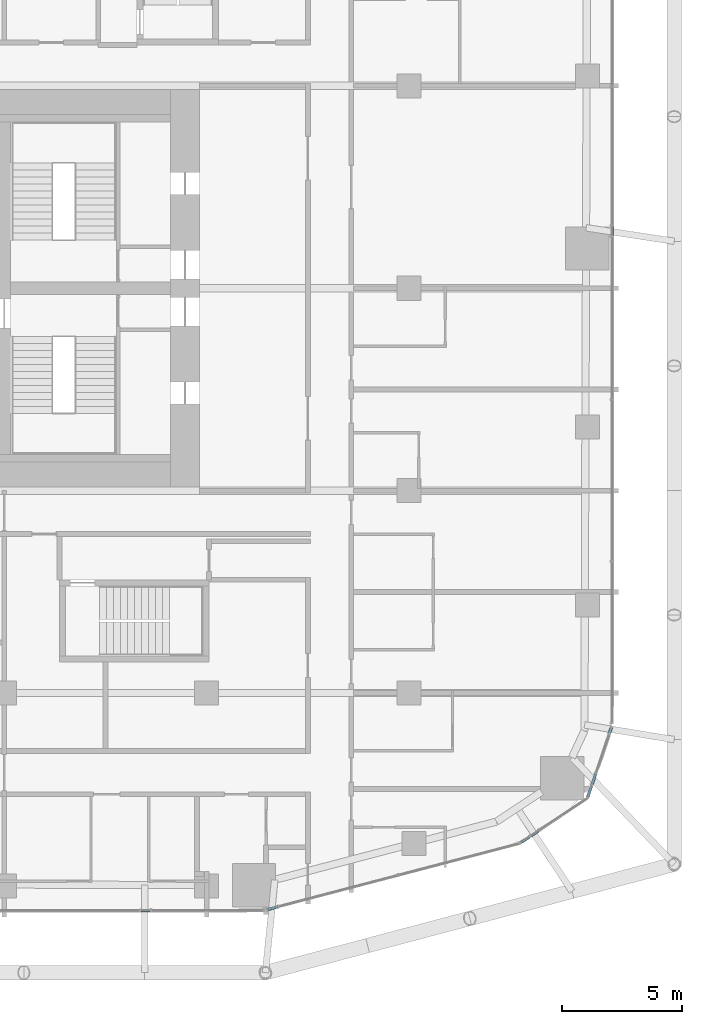
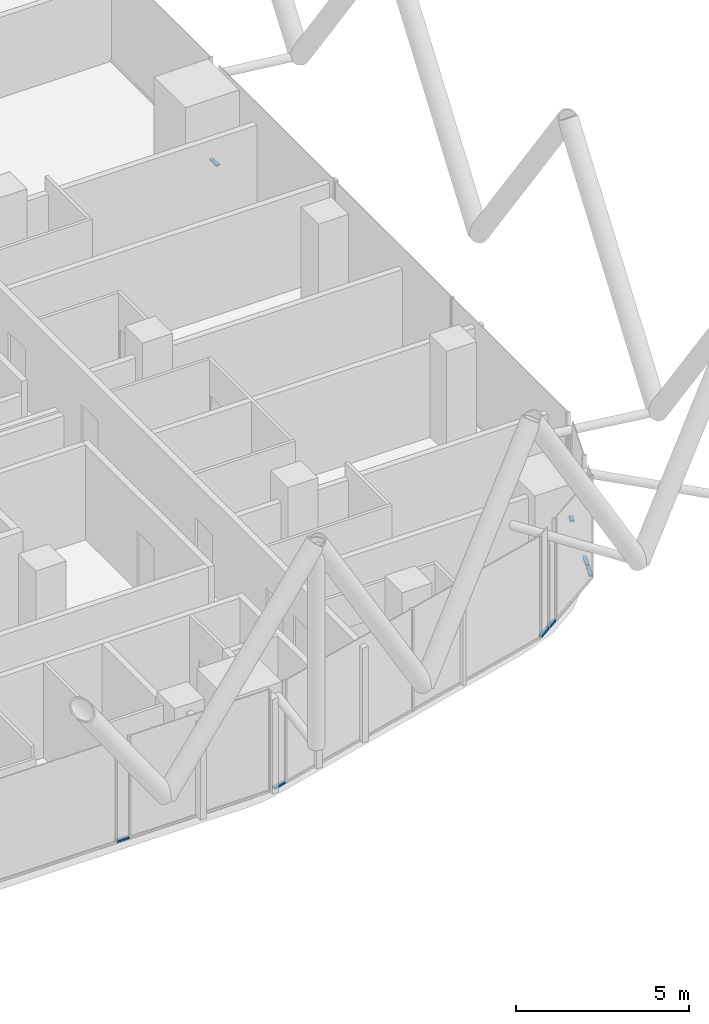
# One storey, part 17 of 38: 8 members, 8 elements without a shape of their own.
"""IFC4 building model written with IfcOpenShell, lengths in metres."""

import ifcopenshell
import ifcopenshell.guid

model = None  # the IFC model being written
_history = None  # IfcOwnerHistory: only IFC2X3 demands one
_inside = {}  # id of a spatial element -> (the spatial element, [elements in it])
_under = {}  # id of a project, library or spatial element -> (it, [spatial elements below it])
_declared = {}  # id of a project -> (the project, [libraries it declares])
_typed = {}  # id of a type object -> (the type object, [elements of that type])
_made_of = {}  # id of a material, layer set ... -> (it, [elements and type objects made of it])


def new_model(schema):
    """Start an empty IFC model of exactly this schema.

    Asked for "IFC4X3", IfcOpenShell would pick the latest addendum, in which some entities
    have other attributes; the version numbers below select the first issue.
    IFC2X3 requires an IfcOwnerHistory on every rooted entity: one is made here for all.
    """
    global model, _history
    if schema == "IFC4X3":
        model = ifcopenshell.file(schema_version=(4, 3, 0, 0))
    else:
        model = ifcopenshell.file(schema=schema)
    _inside.clear()
    _under.clear()
    _declared.clear()
    _typed.clear()
    _made_of.clear()
    _history = None
    if model.schema == "IFC2X3":
        org = make("IfcOrganization", Name="unknown")
        user = make(
            "IfcPersonAndOrganization",
            ThePerson=make("IfcPerson", FamilyName="unknown"),
            TheOrganization=org,
        )
        app = make(
            "IfcApplication",
            ApplicationDeveloper=org,
            Version="unknown",
            ApplicationFullName="unknown",
            ApplicationIdentifier="unknown",
        )
        _history = make(
            "IfcOwnerHistory",
            OwningUser=user,
            OwningApplication=app,
            ChangeAction="ADDED",
            CreationDate=0,
        )
    return model


def make(cls, **values):
    """One entity of the class cls with the attributes given. An attribute that is None is left unset."""
    return model.create_entity(
        cls, **{name: value for name, value in values.items() if value is not None}
    )


def rooted(cls, **values):
    """An entity with a GlobalId (a new one), such as an element, a storey or a relation."""
    return make(cls, GlobalId=ifcopenshell.guid.new(), OwnerHistory=_history, **values)


def si_unit(unit_type, name, prefix=None):
    """IfcSIUnit, for example si_unit("LENGTHUNIT", "METRE", prefix="MILLI")."""
    return make("IfcSIUnit", UnitType=unit_type, Prefix=prefix, Name=name)


def assignment(units):
    """IfcUnitAssignment: the units of a project."""
    return None if units is None else make("IfcUnitAssignment", Units=units)


def point(xyz):
    """IfcCartesianPoint."""
    return None if xyz is None else make("IfcCartesianPoint", Coordinates=xyz)


def direction(xyz):
    """IfcDirection."""
    return None if xyz is None else make("IfcDirection", DirectionRatios=xyz)


def frame(location, z_axis=None, x_axis=None):
    """IfcAxis2Placement3D, a coordinate frame: its origin and axes. An axis left out is left unset."""
    return make(
        "IfcAxis2Placement3D",
        Location=point(location),
        Axis=direction(z_axis),
        RefDirection=direction(x_axis),
    )


def frame_2d(location, x_axis=None):
    """IfcAxis2Placement2D, a coordinate frame in the plane: its origin and x axis."""
    return make(
        "IfcAxis2Placement2D", Location=point(location), RefDirection=direction(x_axis)
    )


def origin():
    """The frame at (0, 0, 0) with its axes left unset."""
    return frame((0.0, 0.0, 0.0))


def origin_2d():
    """The frame at (0, 0) in the plane with its x axis left unset."""
    return frame_2d((0.0, 0.0))


def place(relative_to, where):
    """IfcLocalPlacement: puts the frame where relative to a parent placement (None: the world)."""
    return make(
        "IfcLocalPlacement", PlacementRelTo=relative_to, RelativePlacement=where
    )


def context(
    kind, dimensions, precision=None, world=None, true_north=None, identifier=None
):
    """IfcGeometricRepresentationContext, for example the 3D "Model" context."""
    return make(
        "IfcGeometricRepresentationContext",
        ContextIdentifier=identifier,
        ContextType=kind,
        CoordinateSpaceDimension=dimensions,
        Precision=precision,
        WorldCoordinateSystem=world,
        TrueNorth=true_north,
    )


def subcontext(parent, identifier, kind, view, scale=None):
    """IfcGeometricRepresentationSubContext, for example "Body" below "Model"."""
    return make(
        "IfcGeometricRepresentationSubContext",
        ContextIdentifier=identifier,
        ContextType=kind,
        ParentContext=parent,
        TargetScale=scale,
        TargetView=view,
    )


def project(units=None, contexts=None):
    """IfcProject with its units and contexts."""
    return rooted(
        "IfcProject",
        Name="project",
        RepresentationContexts=contexts,
        UnitsInContext=assignment(units),
    )


def spatial(cls, under=None, at=None, **own):
    """A site, building, storey or space (cls), placed at a placement, below another one or the project."""
    s = rooted(cls, ObjectPlacement=at, **own)
    if under is not None:
        _under.setdefault(under.id(), (under, []))[1].append(s)
    return s


def profile(cls, at=None, kind="AREA", **sizes):
    """A parametric profile (cls). Its sizes go by their IFC names, for example OverallWidth=200.0."""
    return make(cls, ProfileType=kind, Position=at, **sizes)


def rectangle(**sizes):
    """IfcRectangleProfileDef."""
    return profile("IfcRectangleProfileDef", **sizes)


def extrude(swept, where, along, depth):
    """IfcExtrudedAreaSolid: the profile swept, set in the frame where, extruded along a direction by depth."""
    return make(
        "IfcExtrudedAreaSolid",
        SweptArea=swept,
        Position=where,
        ExtrudedDirection=direction(along),
        Depth=depth,
    )


def shape(context_of_items, identifier, shape_type, items):
    """IfcShapeRepresentation: the items that make up one representation, for example the "Body"."""
    return make(
        "IfcShapeRepresentation",
        ContextOfItems=context_of_items,
        RepresentationIdentifier=identifier,
        RepresentationType=shape_type,
        Items=items,
    )


def material(Name=None, Category=None):
    """IfcMaterial."""
    return make("IfcMaterial", Name=Name, Category=Category)


def layer(
    of_material, thickness, ventilated=None, Name=None, Category=None, Priority=None
):
    """IfcMaterialLayer: one layer of a wall or slab, of a material (None: an air gap)."""
    return make(
        "IfcMaterialLayer",
        Material=of_material,
        LayerThickness=thickness,
        IsVentilated=ventilated,
        Name=Name,
        Category=Category,
        Priority=Priority,
    )


def layer_set(layers, Name=None):
    """IfcMaterialLayerSet."""
    return make("IfcMaterialLayerSet", MaterialLayers=layers, LayerSetName=Name)


def material_profile(
    of_material, cross_section, Name=None, Category=None, Priority=None
):
    """IfcMaterialProfile: a cross section and its material."""
    return make(
        "IfcMaterialProfile",
        Name=Name,
        Material=of_material,
        Profile=cross_section,
        Priority=Priority,
        Category=Category,
    )


def profile_set(profiles, Name=None, composite=None):
    """IfcMaterialProfileSet."""
    return make(
        "IfcMaterialProfileSet",
        Name=Name,
        MaterialProfiles=profiles,
        CompositeProfile=composite,
    )


def made_of(thing, what):
    """Note that an element or type object is made of a material, layer set ...; save() writes the relation."""
    if what is not None:
        _made_of.setdefault(what.id(), (what, []))[1].append(thing)
    return thing


def type_object(cls, material=None, **own):
    """A type object (cls), such as IfcWallType, which elements share."""
    return made_of(rooted(cls, **own), material)


def element(
    cls,
    number,
    at=None,
    inside=None,
    cuts=None,
    type_object=None,
    material=None,
    context=None,
    identifier="Body",
    shape_type=None,
    held_by="IfcProductDefinitionShape",
    body=None,
    shapes=None,
    **own,
):
    """One element of the class cls, such as IfcWall. Its Tag is "e" and its number.

    at: its placement. inside: the storey or other place that contains it. cuts: it is an
    opening in that element (IfcRelVoidsElement). A single representation is given by context,
    identifier, shape_type and body (its items); several are given by shapes. held_by: the class
    of the entity that holds the representations. save() writes the other relations.
    """
    e = rooted(cls, Tag="e%d" % number, ObjectPlacement=at, **own)
    if body is not None:
        shapes = [shape(context, identifier, shape_type, body)]
    if shapes is not None:
        e.Representation = make(held_by, Representations=shapes)
    if inside is not None:
        _inside.setdefault(inside.id(), (inside, []))[1].append(e)
    if cuts is not None:
        rooted(
            "IfcRelVoidsElement", RelatingBuildingElement=cuts, RelatedOpeningElement=e
        )
    if type_object is not None:
        _typed.setdefault(type_object.id(), (type_object, []))[1].append(e)
    return made_of(e, material)


def aggregate(whole, parts):
    """IfcRelAggregates: a whole, such as a stair, and the parts it consists of."""
    return rooted("IfcRelAggregates", RelatingObject=whole, RelatedObjects=parts)


def save(model, path):
    """Write the relations noted so far, then the file.

    IfcRelAggregates (storeys below a building ...), IfcRelContainedInSpatialStructure (elements
    in a storey), IfcRelDefinesByType, IfcRelAssociatesMaterial and IfcRelDeclares: one each for
    every whole, place, type object, material and project.
    """
    for whole, parts in _under.values():
        aggregate(whole, parts)
    for where, things in _inside.values():
        rooted(
            "IfcRelContainedInSpatialStructure",
            RelatedElements=things,
            RelatingStructure=where,
        )
    for kind, things in _typed.values():
        rooted("IfcRelDefinesByType", RelatedObjects=things, RelatingType=kind)
    for what, things in _made_of.values():
        rooted("IfcRelAssociatesMaterial", RelatedObjects=things, RelatingMaterial=what)
    for by, libraries in _declared.values():
        rooted("IfcRelDeclares", RelatingContext=by, RelatedDefinitions=libraries)
    model.write(path)


model = new_model("IFC4")

# Units and contexts
model_context = context("Model", 3, precision=1e-05, world=origin(), true_north=direction((0.0, 1.0)))
body_context = subcontext(model_context, "Body", "Model", "MODEL_VIEW")
ifc_project = project(units=[si_unit("LENGTHUNIT", "METRE"), si_unit("AREAUNIT", "SQUARE_METRE"), si_unit("VOLUMEUNIT", "CUBIC_METRE"), si_unit("PLANEANGLEUNIT", "RADIAN"), si_unit("MASSUNIT", "GRAM", prefix="KILO")], contexts=[model_context])

# Site, building, storey
site_placement = place(None, origin())
site = spatial("IfcSite", under=ifc_project, at=site_placement, CompositionType="ELEMENT")
building_placement = place(site_placement, origin())
building = spatial("IfcBuilding", under=site, at=building_placement, Name="Marenta Gate Hotel Tower", CompositionType="ELEMENT")
storey_placement = place(building_placement, frame((0.0, 0.0, 54.5)))
storey = spatial("IfcBuildingStorey", under=building, at=storey_placement, Name="L11", CompositionType="ELEMENT", Elevation=54.5)

# Curtain wall, member
ifc_material_1 = material(Name="Tinted insulated glass in bronze anodised frame", Category="glass")
ifc_layer = layer(ifc_material_1, 0.1201171875)
ifc_layer_set = layer_set([ifc_layer], Name="Tinted insulated glass in bronze anodised frame")
curtain_wall_type = type_object("IfcCurtainWallType", Name="Tower unitised curtain wall CW1", PredefinedType="NOTDEFINED", material=ifc_layer_set)
curtain_wall_1_placement = place(storey_placement, origin())
curtain_wall_1 = element("IfcCurtainWall", 1, at=curtain_wall_1_placement, inside=storey, type_object=curtain_wall_type, Name="CW1 run G21", PredefinedType="NOTDEFINED")
ifc_material_2 = material(Name="Bronze anodised aluminium", Category="aluminium")
ifc_material_profile = material_profile(ifc_material_2, rectangle(XDim=0.1201171875, YDim=0.06005859375, at=origin_2d()), Name="Transom CW1 60x120 bronze anodised aluminium")
ifc_profile_set = profile_set([ifc_material_profile], Name="Bronze anodised aluminium")
member_type = type_object("IfcMemberType", Name="Transom CW1 60x120 bronze anodised aluminium", PredefinedType="USERDEFINED", material=ifc_profile_set)
member_1_placement = place(storey_placement, frame((9.86669921875, -17.4189453125, 0.030029296875), z_axis=(0.999999806866, 0.00062150392, 0.0), x_axis=(-0.00062150392, 0.999999806866, 0.0)))
member_1 = element("IfcMember", 2, at=member_1_placement, type_object=member_type, Name="CW1 transom 1.1", ObjectType="TRANSOM", PredefinedType="USERDEFINED", context=body_context, shape_type="SweptSolid", body=[
    extrude(rectangle(XDim=0.1201171875, YDim=0.06005859375, at=origin_2d()), origin(), (0.0, 0.0, 1.0), 0.392822265625),
])
aggregate(curtain_wall_1, [member_1])

curtain_wall_2_placement = place(storey_placement, origin())
curtain_wall_2 = element("IfcCurtainWall", 3, at=curtain_wall_2_placement, inside=storey, type_object=curtain_wall_type, Name="CW1 run G23", PredefinedType="NOTDEFINED")
member_2_placement = place(storey_placement, frame((15.13232421875, -17.376708984375, 0.030029296875), z_axis=(0.967298175174, 0.253641952966, 0.0), x_axis=(-0.253641952966, 0.967298175174, 0.0)))
member_2 = element("IfcMember", 4, at=member_2_placement, type_object=member_type, Name="CW1 transom 1.1", ObjectType="TRANSOM", PredefinedType="USERDEFINED", context=body_context, shape_type="SweptSolid", body=[
    extrude(rectangle(XDim=0.1201171875, YDim=0.06005859375, at=origin_2d()), origin(), (0.0, 0.0, 1.0), 0.423583984375),
])
aggregate(curtain_wall_2, [member_2])

curtain_wall_3_placement = place(storey_placement, origin())
curtain_wall_3 = element("IfcCurtainWall", 5, at=curtain_wall_3_placement, inside=storey, type_object=curtain_wall_type, Name="CW1 run G25", PredefinedType="NOTDEFINED")
member_3_placement = place(storey_placement, frame((25.617431640625, -14.6103515625, 0.030029296875), z_axis=(0.832549312002, 0.55395093924, 0.0), x_axis=(-0.55395093924, 0.832549312002, 0.0)))
member_3 = element("IfcMember", 6, at=member_3_placement, type_object=member_type, Name="CW1 transom 1.1", ObjectType="TRANSOM", PredefinedType="USERDEFINED", context=body_context, shape_type="SweptSolid", body=[
    extrude(rectangle(XDim=0.1201171875, YDim=0.06005859375, at=origin_2d()), origin(), (0.0, 0.0, 1.0), 0.451416015625),
])
aggregate(curtain_wall_3, [member_3])

curtain_wall_4_placement = place(storey_placement, origin())
curtain_wall_4 = element("IfcCurtainWall", 7, at=curtain_wall_4_placement, inside=storey, type_object=curtain_wall_type, Name="CW1 run G26", PredefinedType="NOTDEFINED")
member_4_placement = place(storey_placement, frame((26.04296875, -14.3271484375, 0.030029296875), z_axis=(0.832718923271, 0.553695940772, 0.0), x_axis=(-0.553695940772, 0.832718923271, 0.0)))
member_4 = element("IfcMember", 8, at=member_4_placement, type_object=member_type, Name="CW1 transom 1.1", ObjectType="TRANSOM", PredefinedType="USERDEFINED", context=body_context, shape_type="SweptSolid", body=[
    extrude(rectangle(XDim=0.1201171875, YDim=0.06005859375, at=origin_2d()), origin(), (0.0, 0.0, 1.0), 0.392822265625),
])
aggregate(curtain_wall_4, [member_4])

curtain_wall_5_placement = place(storey_placement, origin())
curtain_wall_5 = element("IfcCurtainWall", 9, at=curtain_wall_5_placement, inside=storey, type_object=curtain_wall_type, Name="CW1 run G28", PredefinedType="NOTDEFINED")
member_5_placement = place(storey_placement, frame((28.4150390625, -12.70458984375, 0.030029296875), z_axis=(0.322254212139, 0.946653169201, 0.0), x_axis=(-0.946653169201, 0.322254212139, 0.0)))
member_5 = element("IfcMember", 10, at=member_5_placement, type_object=member_type, Name="CW1 transom 1.1", ObjectType="TRANSOM", PredefinedType="USERDEFINED", context=body_context, shape_type="SweptSolid", body=[
    extrude(rectangle(XDim=0.1201171875, YDim=0.06005859375, at=origin_2d()), origin(), (0.0, 0.0, 1.0), 0.485595703125),
])
aggregate(curtain_wall_5, [member_5])

curtain_wall_6_placement = place(storey_placement, origin())
curtain_wall_6 = element("IfcCurtainWall", 11, at=curtain_wall_6_placement, inside=storey, type_object=curtain_wall_type, Name="CW1 run G29", PredefinedType="NOTDEFINED")
member_6_placement = place(storey_placement, frame((28.5908203125, -12.18798828125, 0.030029296875), z_axis=(0.321912448893, 0.946769441442, 0.0), x_axis=(-0.946769441442, 0.321912448893, 0.0)))
member_6 = element("IfcMember", 12, at=member_6_placement, type_object=member_type, Name="CW1 transom 1.1", ObjectType="TRANSOM", PredefinedType="USERDEFINED", context=body_context, shape_type="SweptSolid", body=[
    extrude(rectangle(XDim=0.1201171875, YDim=0.06005859375, at=origin_2d()), origin(), (0.0, 0.0, 1.0), 0.450439453125),
])
aggregate(curtain_wall_6, [member_6])

curtain_wall_7_placement = place(storey_placement, origin())
curtain_wall_7 = element("IfcCurtainWall", 13, at=curtain_wall_7_placement, inside=storey, type_object=curtain_wall_type, Name="CW1 run G31", PredefinedType="NOTDEFINED")
member_7_placement = place(storey_placement, frame((29.3154296875, -10.057861328125, 0.030029296875), z_axis=(0.322169291866, 0.946682073021, 0.0), x_axis=(-0.946682073021, 0.322169291866, 0.0)))
member_7 = element("IfcMember", 14, at=member_7_placement, type_object=member_type, Name="CW1 transom 1.1", ObjectType="TRANSOM", PredefinedType="USERDEFINED", context=body_context, shape_type="SweptSolid", body=[
    extrude(rectangle(XDim=0.1201171875, YDim=0.06005859375, at=origin_2d()), origin(), (0.0, 0.0, 1.0), 0.246337890625),
])
aggregate(curtain_wall_7, [member_7])

curtain_wall_8_placement = place(storey_placement, origin())
curtain_wall_8 = element("IfcCurtainWall", 15, at=curtain_wall_8_placement, inside=storey, type_object=curtain_wall_type, Name="CW1 run G33", PredefinedType="NOTDEFINED")
member_8_placement = place(storey_placement, frame((29.4140625, 10.576904296875, 0.030029296875), z_axis=(0.0, 1.0, 0.0), x_axis=(-1.0, 0.0, 0.0)))
member_8 = element("IfcMember", 16, at=member_8_placement, type_object=member_type, Name="CW1 transom 1.1", ObjectType="TRANSOM", PredefinedType="USERDEFINED", context=body_context, shape_type="SweptSolid", body=[
    extrude(rectangle(XDim=0.1201171875, YDim=0.06005859375, at=origin_2d()), origin(), (0.0, 0.0, 1.0), 0.3984375),
])
aggregate(curtain_wall_8, [member_8])

save(model, "model.ifc")
